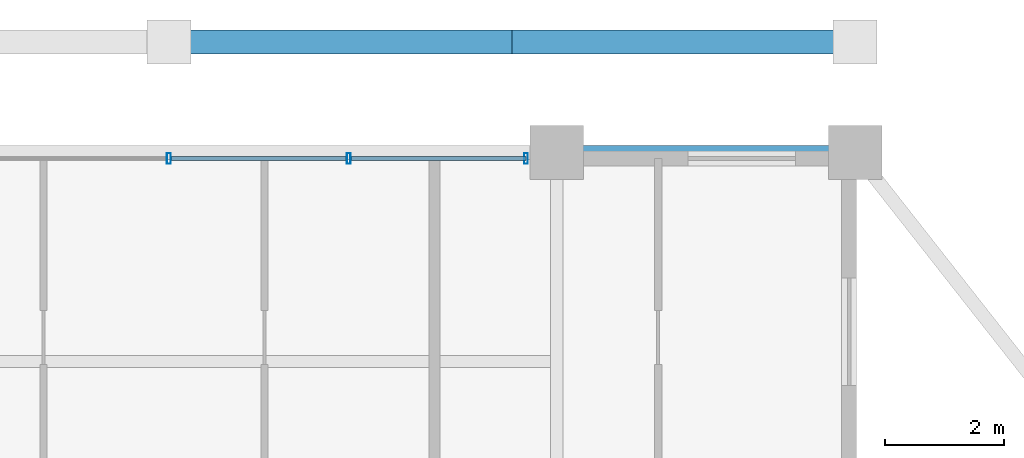
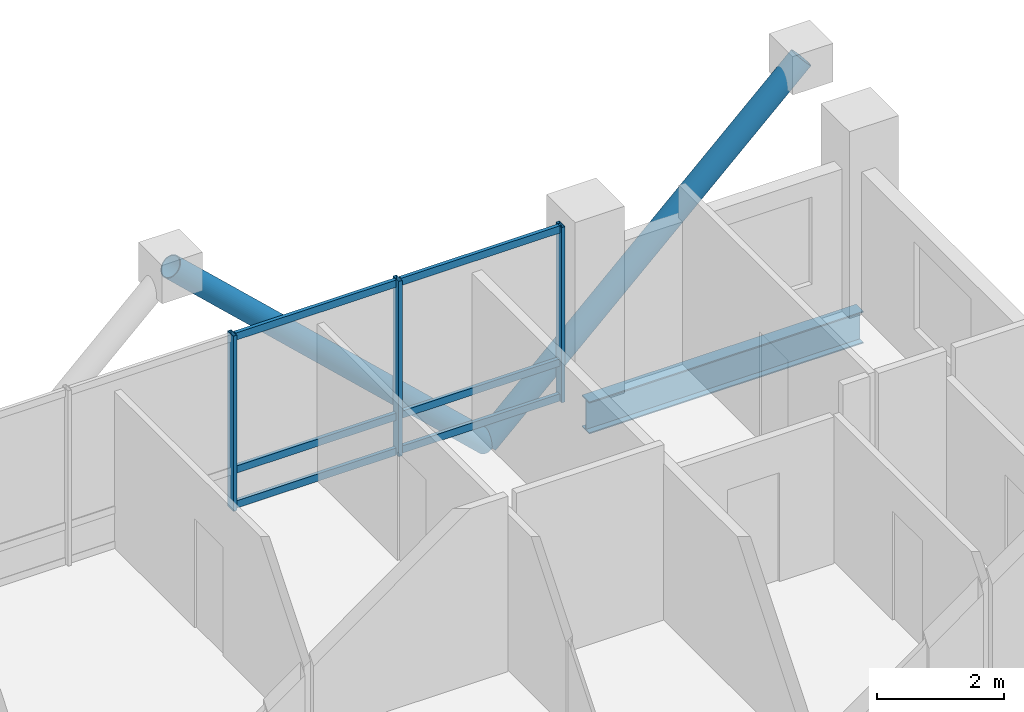
# One storey, part 16 of 23: 11 members, 1 beam, 1 element without a shape of its own.
"""IFC4 building model written with IfcOpenShell, lengths in metres."""

from ifc_helpers import new_model, si_unit, direction, frame, origin, origin_2d, place, context, subcontext, project, spatial, hollow_rectangle, hollow_circle, i_section, extrude, material, layer, layer_set, material_profile, profile_set, type_object, element, aggregate, save


model = new_model("IFC4")

# Units and contexts
model_context = context("Model", 3, precision=1e-05, world=origin(), true_north=direction((0.0, 1.0)))
body_context = subcontext(model_context, "Body", "Model", "MODEL_VIEW")
ifc_project = project(units=[si_unit("LENGTHUNIT", "METRE"), si_unit("AREAUNIT", "SQUARE_METRE"), si_unit("VOLUMEUNIT", "CUBIC_METRE"), si_unit("PLANEANGLEUNIT", "RADIAN"), si_unit("MASSUNIT", "GRAM", prefix="KILO")], contexts=[model_context])

# Site, building, storey
site_placement = place(None, origin())
site = spatial("IfcSite", under=ifc_project, at=site_placement, CompositionType="ELEMENT")
building_placement = place(site_placement, origin())
building = spatial("IfcBuilding", under=site, at=building_placement, Name="Barlavira Tower and Art Museum", CompositionType="ELEMENT")
storey_placement = place(building_placement, frame((0.0, 0.0, 247.5)))
storey = spatial("IfcBuildingStorey", under=building, at=storey_placement, Name="L64", CompositionType="ELEMENT", Elevation=247.5)

# Curtain wall, members
ifc_material_1 = material(Name="Low-iron coastal laminated glass", Category="glass")
ifc_layer = layer(ifc_material_1, 0.2099609375, Name="Low-iron coastal laminated glass")
ifc_layer_set = layer_set([ifc_layer], Name="Low-iron coastal laminated glass")
curtain_wall_type = type_object("IfcCurtainWallType", Name="Pale-Metal Unitised Curtain Wall Zone 4", PredefinedType="NOTDEFINED", material=ifc_layer_set)
curtain_wall_placement = place(storey_placement, origin())
curtain_wall = element("IfcCurtainWall", 1, at=curtain_wall_placement, inside=storey, type_object=curtain_wall_type, Name="L64 Curtain Wall CW4-L64-N-B2", PredefinedType="NOTDEFINED")
ifc_material_2 = material(Name="Pale anodised aluminium", Category="aluminium")
ifc_material_profile_1 = material_profile(ifc_material_2, hollow_rectangle(XDim=0.06494140625, YDim=0.179931640625, WallThickness=0.00390625, at=origin_2d()), Name="ALU-MULL 65x180x4")
ifc_profile_set_1 = profile_set([ifc_material_profile_1], Name="Pale anodised aluminium")
member_type_1 = type_object("IfcMemberType", Name="Curtain Wall Pale-Metal Mullion 65x180", PredefinedType="MULLION", material=ifc_profile_set_1)
member_1_placement = place(storey_placement, frame((5.985107421875, 19.89990234375, 0.0), z_axis=(0.0, 0.0, 1.0), x_axis=(-1.0, 0.0, 0.0)))
member_1 = element("IfcMember", 2, at=member_1_placement, type_object=member_type_1, Name="CW4-L64-N-B2 Mullion 0", PredefinedType="MULLION", context=body_context, shape_type="SweptSolid", body=[
    extrude(hollow_rectangle(XDim=0.06494140625, YDim=0.179931640625, WallThickness=0.00390625, at=origin_2d()), origin(), (0.0, 0.0, 1.0), 3.3798828125),
])
member_2_placement = place(storey_placement, frame((3.014892578125, 19.89990234375, 0.0), z_axis=(0.0, 0.0, 1.0), x_axis=(-1.0, 0.0, 0.0)))
member_2 = element("IfcMember", 3, at=member_2_placement, type_object=member_type_1, Name="CW4-L64-N-B2 Mullion 1", PredefinedType="MULLION", context=body_context, shape_type="SweptSolid", body=[
    extrude(hollow_rectangle(XDim=0.06494140625, YDim=0.179931640625, WallThickness=0.00390625, at=origin_2d()), origin(), (0.0, 0.0, 1.0), 3.3798828125),
])
member_3_placement = place(storey_placement, frame((0.0, 19.89990234375, 0.0), z_axis=(0.0, 0.0, 1.0), x_axis=(-1.0, 0.0, 0.0)))
member_3 = element("IfcMember", 4, at=member_3_placement, type_object=member_type_1, Name="CW4-L64-N-B2 Mullion 2", PredefinedType="MULLION", context=body_context, shape_type="SweptSolid", body=[
    extrude(hollow_rectangle(XDim=0.06494140625, YDim=0.179931640625, WallThickness=0.00390625, at=origin_2d()), origin(), (0.0, 0.0, 1.0), 3.3798828125),
])
ifc_material_profile_2 = material_profile(ifc_material_2, hollow_rectangle(XDim=0.06494140625, YDim=0.139892578125, WallThickness=0.00390625, at=origin_2d()), Name="ALU-TRAN 65x140x4")
ifc_profile_set_2 = profile_set([ifc_material_profile_2], Name="Pale anodised aluminium")
member_type_2 = type_object("IfcMemberType", Name="Curtain Wall Pale-Metal Transom 65x140", PredefinedType="USERDEFINED", material=ifc_profile_set_2)
member_4_placement = place(storey_placement, frame((5.985107421875, 19.89990234375, 0.070068359375), z_axis=(-1.0, 0.0, 0.0), x_axis=(0.0, -1.0, 0.0)))
member_4 = element("IfcMember", 5, at=member_4_placement, type_object=member_type_2, Name="CW4-L64-N-B2 Transom 0.1", ObjectType="TRANSOM", PredefinedType="USERDEFINED", context=body_context, shape_type="SweptSolid", body=[
    extrude(hollow_rectangle(XDim=0.06494140625, YDim=0.139892578125, WallThickness=0.00390625, at=origin_2d()), origin(), (0.0, 0.0, 1.0), 2.925048828125),
])
member_5_placement = place(storey_placement, frame((5.985107421875, 19.89990234375, 0.743896484375), z_axis=(-1.0, 0.0, 0.0), x_axis=(0.0, -1.0, 0.0)))
member_5 = element("IfcMember", 6, at=member_5_placement, type_object=member_type_2, Name="CW4-L64-N-B2 Transom 0.2", ObjectType="TRANSOM", PredefinedType="USERDEFINED", context=body_context, shape_type="SweptSolid", body=[
    extrude(hollow_rectangle(XDim=0.06494140625, YDim=0.139892578125, WallThickness=0.00390625, at=origin_2d()), origin(), (0.0, 0.0, 1.0), 2.925048828125),
])
member_6_placement = place(storey_placement, frame((5.985107421875, 19.89990234375, 3.31005859375), z_axis=(-1.0, 0.0, 0.0), x_axis=(0.0, -1.0, 0.0)))
member_6 = element("IfcMember", 7, at=member_6_placement, type_object=member_type_2, Name="CW4-L64-N-B2 Transom 0.3", ObjectType="TRANSOM", PredefinedType="USERDEFINED", context=body_context, shape_type="SweptSolid", body=[
    extrude(hollow_rectangle(XDim=0.06494140625, YDim=0.139892578125, WallThickness=0.00390625, at=origin_2d()), origin(), (0.0, 0.0, 1.0), 2.925048828125),
])
member_7_placement = place(storey_placement, frame((2.969970703125, 19.89990234375, 0.070068359375), z_axis=(-1.0, 0.0, 0.0), x_axis=(0.0, -1.0, 0.0)))
member_7 = element("IfcMember", 8, at=member_7_placement, type_object=member_type_2, Name="CW4-L64-N-B2 Transom 1.1", ObjectType="TRANSOM", PredefinedType="USERDEFINED", context=body_context, shape_type="SweptSolid", body=[
    extrude(hollow_rectangle(XDim=0.06494140625, YDim=0.139892578125, WallThickness=0.00390625, at=origin_2d()), origin(), (0.0, 0.0, 1.0), 2.925048828125),
])
member_8_placement = place(storey_placement, frame((2.969970703125, 19.89990234375, 0.743896484375), z_axis=(-1.0, 0.0, 0.0), x_axis=(0.0, -1.0, 0.0)))
member_8 = element("IfcMember", 9, at=member_8_placement, type_object=member_type_2, Name="CW4-L64-N-B2 Transom 1.2", ObjectType="TRANSOM", PredefinedType="USERDEFINED", context=body_context, shape_type="SweptSolid", body=[
    extrude(hollow_rectangle(XDim=0.06494140625, YDim=0.139892578125, WallThickness=0.00390625, at=origin_2d()), origin(), (0.0, 0.0, 1.0), 2.925048828125),
])
member_9_placement = place(storey_placement, frame((2.969970703125, 19.89990234375, 3.31005859375), z_axis=(-1.0, 0.0, 0.0), x_axis=(0.0, -1.0, 0.0)))
member_9 = element("IfcMember", 10, at=member_9_placement, type_object=member_type_2, Name="CW4-L64-N-B2 Transom 1.3", ObjectType="TRANSOM", PredefinedType="USERDEFINED", context=body_context, shape_type="SweptSolid", body=[
    extrude(hollow_rectangle(XDim=0.06494140625, YDim=0.139892578125, WallThickness=0.00390625, at=origin_2d()), origin(), (0.0, 0.0, 1.0), 2.925048828125),
])
aggregate(curtain_wall, [member_1, member_2, member_3, member_4, member_5, member_6, member_7, member_8, member_9])

# Members
ifc_material_3 = material(Name="Steel S355", Category="steel")
ifc_material_profile_3 = material_profile(ifc_material_3, hollow_circle(Radius=0.203125, WallThickness=0.01611328125, at=origin_2d()), Name="CHS 406.4x16.0")
ifc_profile_set_3 = profile_set([ifc_material_profile_3], Name="Steel S355")
member_type_3 = type_object("IfcMemberType", Name="Pale-Metal Exoskeleton Diagrid Tube CHS 406x16 Steel S355", PredefinedType="BRACE", material=ifc_profile_set_3)
for number, where, z_axis, x_axis, name in (
    (11, (5.75, 21.85009765625, -1.919921875), (-0.728950095515, 0.0, 0.684566839869), (0.0, -1.0, 0.0), "L64 Exoskeleton Diagrid Tube N"),
    (12, (5.75, 21.85009765625, -1.919921875), (0.728950095515, 0.0, 0.684566839869), (0.0, 1.0, 0.0), "L64 Exoskeleton Diagrid Tube N"),
):
    element("IfcMember", number, at=place(storey_placement, frame(where, z_axis=z_axis, x_axis=x_axis)), inside=storey, type_object=member_type_3, Name=name, PredefinedType="BRACE", context=body_context, shape_type="SweptSolid", body=[
        extrude(hollow_circle(Radius=0.203125, WallThickness=0.01611328125, at=origin_2d()), origin(), (0.0, 0.0, 1.0), 7.887939453125),
    ])

# Beam
ifc_material_profile_4 = material_profile(ifc_material_3, i_section(OverallWidth=0.22998046875, OverallDepth=0.616943359375, WebThickness=0.01318359375, FlangeThickness=0.022216796875, at=origin_2d()), Name="W610x140.0")
ifc_profile_set_4 = profile_set([ifc_material_profile_4], Name="Steel S355")
beam_type = type_object("IfcBeamType", Name="Upper Shaft Spandrel Edge Beam W610x140 Steel S355", PredefinedType="SPANDREL", material=ifc_profile_set_4)
beam_placement = place(storey_placement, frame((6.5, 20.0, -0.528564453125), z_axis=(1.0, 0.0, 0.0), x_axis=(0.0, 1.0, 0.0)))
element("IfcBeam", 13, at=beam_placement, inside=storey, type_object=beam_type, Name="L64 Spandrel 9", PredefinedType="SPANDREL", context=body_context, shape_type="SweptSolid", body=[
    extrude(i_section(OverallWidth=0.22998046875, OverallDepth=0.616943359375, WebThickness=0.01318359375, FlangeThickness=0.022216796875, at=origin_2d()), origin(), (0.0, 0.0, 1.0), 5.0),
])

save(model, "model.ifc")
